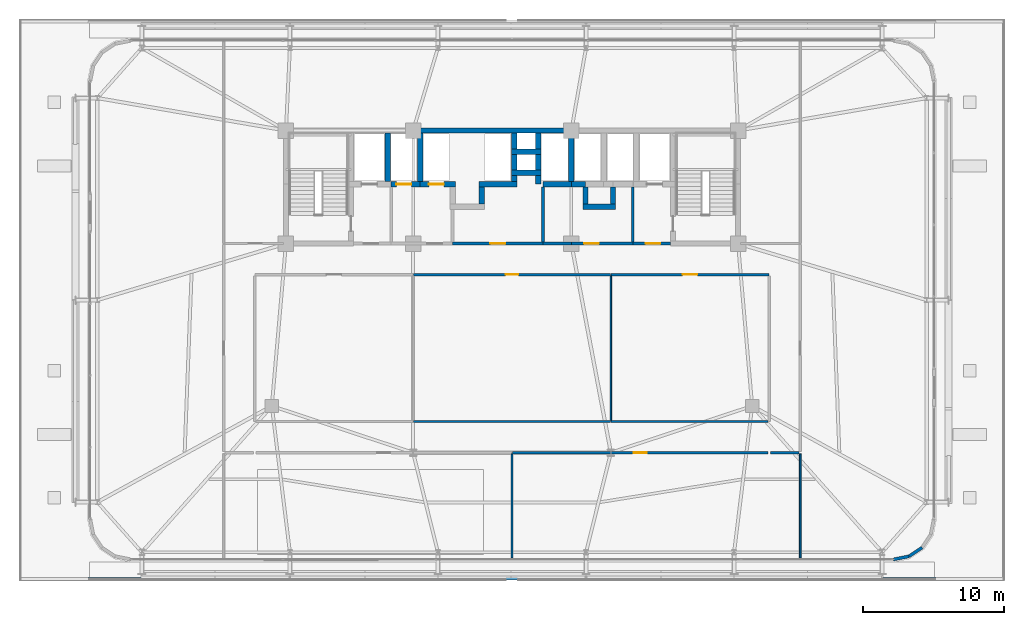
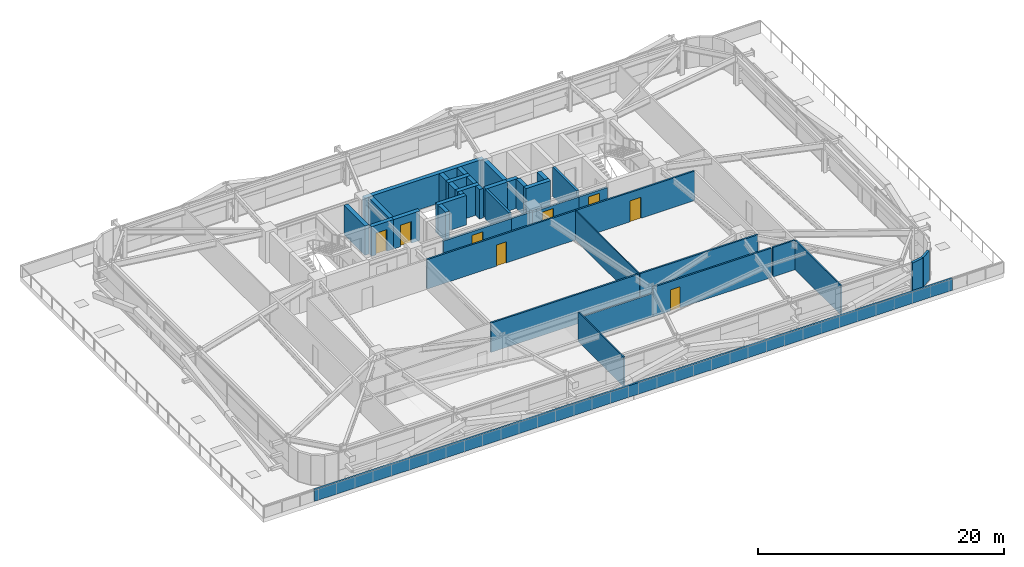
# One storey, part 51 of 56: 40 walls, 8 doors, 8 openings.
"""IFC4 building model written with IfcOpenShell, lengths in metres."""

from ifc_helpers import new_model, si_unit, direction, frame, frame_2d, origin, place, context, subcontext, project, spatial, rectangle, extrude, source, transform, mapped, material, layer, layer_set, type_object, element, fill, save


model = new_model("IFC4")

# Units and contexts
model_context = context("Model", 3, precision=1e-05, world=origin(), true_north=direction((0.0, 1.0)))
body_context = subcontext(model_context, "Body", "Model", "MODEL_VIEW")
ifc_project = project(units=[si_unit("LENGTHUNIT", "METRE"), si_unit("AREAUNIT", "SQUARE_METRE"), si_unit("VOLUMEUNIT", "CUBIC_METRE"), si_unit("PLANEANGLEUNIT", "RADIAN"), si_unit("MASSUNIT", "GRAM", prefix="KILO")], contexts=[model_context])

# Site, building, storey
site_placement = place(None, origin())
site = spatial("IfcSite", under=ifc_project, at=site_placement, CompositionType="ELEMENT")
building_placement = place(site_placement, origin())
building = spatial("IfcBuilding", under=site, at=building_placement, Name="Taldren Reach Tower", CompositionType="ELEMENT")
storey_placement = place(building_placement, frame((0.0, 0.0, 16.800048828125)))
storey = spatial("IfcBuildingStorey", under=building, at=storey_placement, Name="L04", CompositionType="ELEMENT", Elevation=16.800048828125)

# Walls
ifc_material_1 = material(Name="Pale Champagne Anodised Aluminium Cladding", Category="aluminium")
ifc_layer_1 = layer(ifc_material_1, 0.04, Name="Pale Champagne Anodised Aluminium Cladding", Category="aluminium")
ifc_material_2 = material(Name="Mineral Wool Acoustic Insulation", Category="insulation")
ifc_layer_2 = layer(ifc_material_2, 0.06, Name="Mineral Wool Acoustic Insulation", Category="insulation")
ifc_material_3 = material(Name="Steel Gr 350 (C350L0)", Category="steel")
ifc_layer_3 = layer(ifc_material_3, 0.12, Name="Steel Gr 350 (C350L0)", Category="steel")
ifc_layer_set_1 = layer_set([ifc_layer_1, ifc_layer_2, ifc_layer_3], Name="Pale Champagne Aluminium Cladding and Steel Gr 350 Stud Framing")
wall_type_1 = type_object("IfcWallType", Name="EW-CRN-220", PredefinedType="SOLIDWALL", material=ifc_layer_set_1)
shared_shape_1 = source(origin(), body_context, "Body", "SweptSolid", [
    extrude(rectangle(XDim=1.115966796875, YDim=0.219970703125, at=frame_2d((0.55810546875, 0.0))), origin(), (0.0, 0.0, 1.0), 2.929931640625),
])
for number, where, z_axis, x_axis, name in (
    (1, (62.0, 1.639892578125, 0.0), (0.0, 0.0, 1.0), (0.98077373103, 0.195148375659, 0.0), "Rounded-corner pale-metal facade wall L04-SE1"),
    (2, (63.094482421875, 1.857666015625, 0.0), (0.0, 0.0, 1.0), (0.83137650226, 0.555709556774, 0.0), "Rounded-corner pale-metal facade wall L04-SE2"),
):
    element("IfcWall", number, at=place(storey_placement, frame(where, z_axis=z_axis, x_axis=x_axis)), inside=storey, type_object=wall_type_1, Name=name, PredefinedType="SOLIDWALL", context=body_context, shape_type="MappedRepresentation", body=[
        mapped(shared_shape_1, transform((0.0, 0.0, 0.0), scale=1.0)),
    ])
ifc_layer_4 = layer(ifc_material_1, 0.03, Name="Pale Champagne Anodised Aluminium Cladding", Category="aluminium")
ifc_material_4 = material(Name="Concrete N40 (40 MPa)", Category="concrete")
ifc_layer_5 = layer(ifc_material_4, 0.15, Name="Concrete N40 (40 MPa)", Category="concrete")
ifc_layer_set_2 = layer_set([ifc_layer_4, ifc_layer_5], Name="Pale Champagne Aluminium Coping and Concrete 40 MPa (N40) Parapet")
wall_type_2 = type_object("IfcWallType", Name="EW-PAR-180", PredefinedType="PARAPET", material=ifc_layer_set_2)
shared_shape_2 = source(origin(), body_context, "Body", "SweptSolid", [
    extrude(rectangle(XDim=60.0, YDim=0.179931640625, at=frame_2d((30.0, 0.0))), origin(), (0.0, 0.0, 1.0), 1.14990234375),
])
wall_1_placement = place(storey_placement, frame((5.0, 0.2900390625, 0.0), z_axis=(0.0, 0.0, 1.0), x_axis=(1.0, 0.0, 0.0)))
element("IfcWall", 3, at=wall_1_placement, inside=storey, type_object=wall_type_2, Name="Podium perimeter parapet wall L04-S", PredefinedType="PARAPET", context=body_context, shape_type="MappedRepresentation", body=[
    mapped(shared_shape_2, transform((0.0, 0.0, 0.0), scale=1.0)),
])
ifc_material_5 = material(Name="Concrete S80 (80 MPa)", Category="concrete")
ifc_layer_6 = layer(ifc_material_5, 0.3798828125)
ifc_layer_set_3 = layer_set([ifc_layer_6], Name="Concrete S80 (80 MPa)")
wall_type_3 = type_object("IfcWallType", Name="IW-CORE-380", PredefinedType="SHEAR", material=ifc_layer_set_3)
shared_shape_3 = source(origin(), body_context, "Body", "SweptSolid", [
    extrude(rectangle(XDim=11.199951171875, YDim=0.3798828125, at=frame_2d((5.60009765625, 0.0))), origin(), (0.0, 0.0, 1.0), 2.929931640625),
])
wall_2_placement = place(storey_placement, frame((28.0, 32.0, 0.0), z_axis=(0.0, 0.0, 1.0), x_axis=(1.0, 0.0, 0.0)))
element("IfcWall", 4, at=wall_2_placement, inside=storey, type_object=wall_type_3, Name="Rear Core Shear Wall W-CORE-L04-NORTH2", PredefinedType="SHEAR", context=body_context, shape_type="MappedRepresentation", body=[
    mapped(shared_shape_3, transform((0.0, 0.0, 0.0), scale=1.0)),
])
shared_shape_4 = source(origin(), body_context, "Body", "SweptSolid", [
    extrude(rectangle(XDim=3.420166015625, YDim=0.3798828125, at=frame_2d((1.7099609375, 0.0))), origin(), (0.0, 0.0, 1.0), 2.929931640625),
])
for number, where, z_axis, x_axis, name in (
    (5, (26.199951171875, 28.389892578125, 0.0), (0.0, 0.0, 1.0), (0.0, 1.0, 0.0), "Rear Core Shear Wall W-INT-L04-005"),
    (6, (28.5, 28.389892578125, 0.0), (0.0, 0.0, 1.0), (0.0, 1.0, 0.0), "Rear Core Shear Wall W-INT-L04-029"),
    (7, (39.199951171875, 28.389892578125, 0.0), (0.0, 0.0, 1.0), (0.0, 1.0, 0.0), "Rear Core Shear Wall W-INT-L04-036"),
):
    element("IfcWall", number, at=place(storey_placement, frame(where, z_axis=z_axis, x_axis=x_axis)), inside=storey, type_object=wall_type_3, Name=name, PredefinedType="SHEAR", context=body_context, shape_type="MappedRepresentation", body=[
        mapped(shared_shape_4, transform((0.0, 0.0, 0.0), scale=1.0)),
    ])
ifc_material_6 = material(Name="Concrete S50 (50 MPa)", Category="concrete")
ifc_layer_7 = layer(ifc_material_6, 0.199951171875)
ifc_layer_set_4 = layer_set([ifc_layer_7], Name="Concrete S50 (50 MPa)")
wall_type_4 = type_object("IfcWallType", Name="IW-CORE-200", PredefinedType="SOLIDWALL", material=ifc_layer_set_4)
shared_shape_5 = source(origin(), body_context, "Body", "SweptSolid", [
    extrude(rectangle(XDim=3.909912109375, YDim=0.199951171875, at=frame_2d((1.955078125, 0.0))), origin(), (0.0, 0.0, 1.0), 2.929931640625),
])
for number, where, z_axis, x_axis, name in (
    (8, (43.550048828125, 28.010009765625, 0.0), (0.0, 0.0, 1.0), (0.0, -1.0, 0.0), "Rear Core Shear Wall W-INT-L04-013"),
    (9, (37.199951171875, 28.010009765625, 0.0), (0.0, 0.0, 1.0), (0.0, -1.0, 0.0), "Rear Core Shear Wall W-INT-L04-042"),
):
    element("IfcWall", number, at=place(storey_placement, frame(where, z_axis=z_axis, x_axis=x_axis)), inside=storey, type_object=wall_type_4, Name=name, PredefinedType="SOLIDWALL", context=body_context, shape_type="MappedRepresentation", body=[
        mapped(shared_shape_5, transform((0.0, 0.0, 0.0), scale=1.0)),
    ])

# Wall, opening, door
shared_shape_6 = source(origin(), body_context, "Body", "SweptSolid", [
    extrude(rectangle(XDim=2.659912109375, YDim=0.199951171875, at=frame_2d((1.330078125, 0.0))), origin(), (0.0, 0.0, 1.0), 2.39697265625),
])
wall_3_placement = place(storey_placement, frame((43.550048828125, 24.0, 0.0), z_axis=(0.0, 0.0, 1.0), x_axis=(1.0, 0.0, 0.0)))
wall_3 = element("IfcWall", 10, at=wall_3_placement, inside=storey, type_object=wall_type_4, Name="Rear Core Shear Wall W-INT-L04-014", PredefinedType="SOLIDWALL", context=body_context, shape_type="MappedRepresentation", body=[
    mapped(shared_shape_6, transform((0.0, 0.0, 0.0), scale=1.0)),
])
shared_shape_7 = source(origin(), body_context, "Body", "SweptSolid", [
    extrude(rectangle(XDim=1.050048828125, YDim=2.10009765625, at=frame_2d((0.52490234375, 1.050048828125))), frame((0.0, 0.10986328125, 0.0), z_axis=(0.0, -1.0, 0.0), x_axis=(1.0, 0.0, 0.0)), (0.0, 0.0, 1.0), 0.219970703125),
])
opening_1_placement = place(wall_3_placement, frame((0.89990234375, 0.0, 0.0)))
opening_1 = element("IfcOpeningElement", 11, at=opening_1_placement, cuts=wall_3, Name="Opening DF-105", PredefinedType="OPENING", context=body_context, shape_type="MappedRepresentation", body=[
    mapped(shared_shape_7, transform((0.0, 0.0, 0.0), scale=1.0)),
])
ifc_material_7 = material(Name="Fire-Rated Care and Stair Exit Door")
door_type_1 = type_object("IfcDoorType", Name="ID-FIRE-105", OperationType="NOTDEFINED", PredefinedType="DOOR", material=ifc_material_7)
shared_shape_8 = source(origin(), body_context, "Body", "SweptSolid", [
    extrude(rectangle(XDim=1.050048828125, YDim=2.10009765625, at=frame_2d((0.52490234375, 1.050048828125))), frame((0.0, 0.02490234375, 0.0), z_axis=(0.0, -1.0, 0.0), x_axis=(1.0, 0.0, 0.0)), (0.0, 0.0, 1.0), 0.050048828125),
])
door_1_placement = place(opening_1_placement, origin())
door_1 = element("IfcDoor", 12, at=door_1_placement, inside=storey, type_object=door_type_1, Name="Interior Door DR-L04-004", OperationType="SINGLE_SWING_LEFT", OverallHeight=2.10009765625, OverallWidth=1.050048828125, PredefinedType="DOOR", context=body_context, shape_type="MappedRepresentation", body=[
    mapped(shared_shape_8, transform((0.0, 0.0, 0.0), scale=1.0)),
])
fill(opening_1, door_1)

# Walls
shared_shape_9 = source(origin(), body_context, "Body", "SweptSolid", [
    extrude(rectangle(XDim=2.080078125, YDim=0.3798828125, at=frame_2d((1.0400390625, 0.0))), origin(), (0.0, 0.0, 1.0), 2.929931640625),
])
for number, where, z_axis, x_axis, name in (
    (13, (34.9599609375, 30.5, 0.0), (0.0, 0.0, 1.0), (1.0, 0.0, 0.0), "Rear Core Shear Wall W-INT-L04-015"),
    (14, (34.9599609375, 29.0, 0.0), (0.0, 0.0, 1.0), (1.0, 0.0, 0.0), "Rear Core Shear Wall W-INT-L04-020"),
):
    element("IfcWall", number, at=place(storey_placement, frame(where, z_axis=z_axis, x_axis=x_axis)), inside=storey, type_object=wall_type_3, Name=name, PredefinedType="SHEAR", context=body_context, shape_type="MappedRepresentation", body=[
        mapped(shared_shape_9, transform((0.0, 0.0, 0.0), scale=1.0)),
    ])
shared_shape_10 = source(origin(), body_context, "Body", "SweptSolid", [
    extrude(rectangle(XDim=1.1201171875, YDim=0.3798828125, at=frame_2d((0.56005859375, 0.0))), origin(), (0.0, 0.0, 1.0), 2.929931640625),
])
for number, where, z_axis, x_axis, name in (
    (15, (35.14990234375, 31.81005859375, 0.0), (0.0, 0.0, 1.0), (0.0, -1.0, 0.0), "Rear Core Shear Wall W-INT-L04-016"),
    (16, (36.85009765625, 30.68994140625, 0.0), (0.0, 0.0, 1.0), (0.0, 1.0, 0.0), "Rear Core Shear Wall W-INT-L04-017"),
    (17, (35.14990234375, 30.31005859375, 0.0), (0.0, 0.0, 1.0), (0.0, -1.0, 0.0), "Rear Core Shear Wall W-INT-L04-018"),
    (18, (36.85009765625, 29.18994140625, 0.0), (0.0, 0.0, 1.0), (0.0, 1.0, 0.0), "Rear Core Shear Wall W-INT-L04-019"),
):
    element("IfcWall", number, at=place(storey_placement, frame(where, z_axis=z_axis, x_axis=x_axis)), inside=storey, type_object=wall_type_3, Name=name, PredefinedType="SHEAR", context=body_context, shape_type="MappedRepresentation", body=[
        mapped(shared_shape_10, transform((0.0, 0.0, 0.0), scale=1.0)),
    ])
shared_shape_11 = source(origin(), body_context, "Body", "SweptSolid", [
    extrude(rectangle(XDim=1.219970703125, YDim=0.3798828125, at=frame_2d((0.60986328125, 0.0))), origin(), (0.0, 0.0, 1.0), 2.929931640625),
])
for number, where, z_axis, x_axis, name in (
    (19, (32.85009765625, 26.7900390625, 0.0), (0.0, 0.0, 1.0), (0.0, 1.0, 0.0), "Rear Core Shear Wall W-INT-L04-023"),
    (20, (40.199951171875, 28.010009765625, 0.0), (0.0, 0.0, 1.0), (0.0, -1.0, 0.0), "Rear Core Shear Wall W-INT-L04-027"),
    (21, (42.14990234375, 26.7900390625, 0.0), (0.0, 0.0, 1.0), (0.0, 1.0, 0.0), "Rear Core Shear Wall W-INT-L04-028"),
):
    element("IfcWall", number, at=place(storey_placement, frame(where, z_axis=z_axis, x_axis=x_axis)), inside=storey, type_object=wall_type_3, Name=name, PredefinedType="SHEAR", context=body_context, shape_type="MappedRepresentation", body=[
        mapped(shared_shape_11, transform((0.0, 0.0, 0.0), scale=1.0)),
    ])
shared_shape_12 = source(origin(), body_context, "Body", "SweptSolid", [
    extrude(rectangle(XDim=2.330078125, YDim=0.3798828125, at=frame_2d((1.1650390625, 0.0))), origin(), (0.0, 0.0, 1.0), 2.929931640625),
])
wall_4_placement = place(storey_placement, frame((40.010009765625, 26.60009765625, 0.0), z_axis=(0.0, 0.0, 1.0), x_axis=(1.0, 0.0, 0.0)))
element("IfcWall", 22, at=wall_4_placement, inside=storey, type_object=wall_type_3, Name="Rear Core Shear Wall W-INT-L04-026", PredefinedType="SHEAR", context=body_context, shape_type="MappedRepresentation", body=[
    mapped(shared_shape_12, transform((0.0, 0.0, 0.0), scale=1.0)),
])

# Wall, opening, door
shared_shape_13 = source(origin(), body_context, "Body", "SweptSolid", [
    extrude(rectangle(XDim=2.070068359375, YDim=0.3798828125, at=frame_2d((1.03515625, 0.0))), origin(), (0.0, 0.0, 1.0), 2.929931640625),
])
wall_5_placement = place(storey_placement, frame((26.429931640625, 28.199951171875, 0.0), z_axis=(0.0, 0.0, 1.0), x_axis=(1.0, 0.0, 0.0)))
wall_5 = element("IfcWall", 23, at=wall_5_placement, inside=storey, type_object=wall_type_3, Name="Rear Core Shear Wall W-INT-L04-030", PredefinedType="SHEAR", context=body_context, shape_type="MappedRepresentation", body=[
    mapped(shared_shape_13, transform((0.0, 0.0, 0.0), scale=1.0)),
])
shared_shape_14 = source(origin(), body_context, "Body", "SweptSolid", [
    extrude(rectangle(XDim=1.050048828125, YDim=2.14990234375, at=frame_2d((0.52490234375, 1.074951171875))), frame((0.0, 0.199951171875, 0.0), z_axis=(0.0, -1.0, 0.0), x_axis=(1.0, 0.0, 0.0)), (0.0, 0.0, 1.0), 0.39990234375),
])
opening_2_placement = place(wall_5_placement, frame((0.39501953125, 0.0, 0.0)))
opening_2 = element("IfcOpeningElement", 24, at=opening_2_placement, cuts=wall_5, Name="Opening LD-PL1", PredefinedType="OPENING", context=body_context, shape_type="MappedRepresentation", body=[
    mapped(shared_shape_14, transform((0.0, 0.0, 0.0), scale=1.0)),
])
ifc_material_8 = material(Name="Stainless Steel Gr 316 Passenger Lift Landing Door", Category="steel")
door_type_2 = type_object("IfcDoorType", Name="LD-PAS-105", OperationType="SLIDING_TO_LEFT", PredefinedType="DOOR", material=ifc_material_8)
shared_shape_15 = source(origin(), body_context, "Body", "SweptSolid", [
    extrude(rectangle(XDim=1.050048828125, YDim=2.14990234375, at=frame_2d((0.52490234375, 1.074951171875))), frame((0.0, 0.02490234375, 0.0), z_axis=(0.0, -1.0, 0.0), x_axis=(1.0, 0.0, 0.0)), (0.0, 0.0, 1.0), 0.050048828125),
])
door_2_placement = place(opening_2_placement, origin())
door_2 = element("IfcDoor", 25, at=door_2_placement, inside=storey, type_object=door_type_2, Name="Lift Landing Door LD-PL1-L04", OperationType="SLIDING_TO_LEFT", OverallHeight=2.14990234375, OverallWidth=1.050048828125, PredefinedType="DOOR", context=body_context, shape_type="MappedRepresentation", body=[
    mapped(shared_shape_15, transform((0.0, 0.0, 0.0), scale=1.0)),
])
fill(opening_2, door_2)

shared_shape_16 = source(origin(), body_context, "Body", "SweptSolid", [
    extrude(rectangle(XDim=2.489990234375, YDim=0.3798828125, at=frame_2d((1.2451171875, 0.0))), origin(), (0.0, 0.0, 1.0), 2.929931640625),
])
wall_6_placement = place(storey_placement, frame((28.5, 28.199951171875, 0.0), z_axis=(0.0, 0.0, 1.0), x_axis=(1.0, 0.0, 0.0)))
wall_6 = element("IfcWall", 26, at=wall_6_placement, inside=storey, type_object=wall_type_3, Name="Rear Core Shear Wall W-INT-L04-031", PredefinedType="SHEAR", context=body_context, shape_type="MappedRepresentation", body=[
    mapped(shared_shape_16, transform((0.0, 0.0, 0.0), scale=1.0)),
])
opening_3_placement = place(wall_6_placement, frame((0.625, 0.0, 0.0)))
opening_3 = element("IfcOpeningElement", 27, at=opening_3_placement, cuts=wall_6, Name="Opening LD-PL2", PredefinedType="OPENING", context=body_context, shape_type="MappedRepresentation", body=[
    mapped(shared_shape_14, transform((0.0, 0.0, 0.0), scale=1.0)),
])
door_3_placement = place(opening_3_placement, origin())
door_3 = element("IfcDoor", 28, at=door_3_placement, inside=storey, type_object=door_type_2, Name="Lift Landing Door LD-PL2-L04", OperationType="SLIDING_TO_LEFT", OverallHeight=2.14990234375, OverallWidth=1.050048828125, PredefinedType="DOOR", context=body_context, shape_type="MappedRepresentation", body=[
    mapped(shared_shape_15, transform((0.0, 0.0, 0.0), scale=1.0)),
])
fill(opening_3, door_3)

# Walls
shared_shape_17 = source(origin(), body_context, "Body", "SweptSolid", [
    extrude(rectangle(XDim=2.68017578125, YDim=0.3798828125, at=frame_2d((1.340087890625, 0.0))), origin(), (0.0, 0.0, 1.0), 2.929931640625),
])
wall_7_placement = place(storey_placement, frame((32.659912109375, 28.199951171875, 0.0), z_axis=(0.0, 0.0, 1.0), x_axis=(1.0, 0.0, 0.0)))
element("IfcWall", 29, at=wall_7_placement, inside=storey, type_object=wall_type_3, Name="Rear Core Shear Wall W-INT-L04-034", PredefinedType="SHEAR", context=body_context, shape_type="MappedRepresentation", body=[
    mapped(shared_shape_17, transform((0.0, 0.0, 0.0), scale=1.0)),
])
shared_shape_18 = source(origin(), body_context, "Body", "SweptSolid", [
    extrude(rectangle(XDim=0.420166015625, YDim=0.3798828125, at=frame_2d((0.2099609375, 0.0))), origin(), (0.0, 0.0, 1.0), 2.929931640625),
])
wall_8_placement = place(storey_placement, frame((35.14990234375, 28.389892578125, 0.0), z_axis=(0.0, 0.0, 1.0), x_axis=(0.0, 1.0, 0.0)))
element("IfcWall", 30, at=wall_8_placement, inside=storey, type_object=wall_type_3, Name="Rear Core Shear Wall W-INT-L04-035", PredefinedType="SHEAR", context=body_context, shape_type="MappedRepresentation", body=[
    mapped(shared_shape_18, transform((0.0, 0.0, 0.0), scale=1.0)),
])
shared_shape_19 = source(origin(), body_context, "Body", "SweptSolid", [
    extrude(rectangle(XDim=0.610107421875, YDim=0.3798828125, at=frame_2d((0.30517578125, 0.0))), origin(), (0.0, 0.0, 1.0), 2.929931640625),
])
wall_9_placement = place(storey_placement, frame((36.85009765625, 28.81005859375, 0.0), z_axis=(0.0, 0.0, 1.0), x_axis=(0.0, -1.0, 0.0)))
element("IfcWall", 31, at=wall_9_placement, inside=storey, type_object=wall_type_3, Name="Rear Core Shear Wall W-INT-L04-037", PredefinedType="SHEAR", context=body_context, shape_type="MappedRepresentation", body=[
    mapped(shared_shape_19, transform((0.0, 0.0, 0.0), scale=1.0)),
])
shared_shape_20 = source(origin(), body_context, "Body", "SweptSolid", [
    extrude(rectangle(XDim=2.02001953125, YDim=0.3798828125, at=frame_2d((1.010009765625, 0.0))), origin(), (0.0, 0.0, 1.0), 2.929931640625),
])
wall_10_placement = place(storey_placement, frame((37.179931640625, 28.199951171875, 0.0), z_axis=(0.0, 0.0, 1.0), x_axis=(1.0, 0.0, 0.0)))
element("IfcWall", 32, at=wall_10_placement, inside=storey, type_object=wall_type_3, Name="Rear Core Shear Wall W-INT-L04-038", PredefinedType="SHEAR", context=body_context, shape_type="MappedRepresentation", body=[
    mapped(shared_shape_20, transform((0.0, 0.0, 0.0), scale=1.0)),
])
shared_shape_21 = source(origin(), body_context, "Body", "SweptSolid", [
    extrude(rectangle(XDim=1.02001953125, YDim=0.3798828125, at=frame_2d((0.510009765625, 0.0))), origin(), (0.0, 0.0, 1.0), 2.929931640625),
])
wall_11_placement = place(storey_placement, frame((39.199951171875, 28.199951171875, 0.0), z_axis=(0.0, 0.0, 1.0), x_axis=(1.0, 0.0, 0.0)))
element("IfcWall", 33, at=wall_11_placement, inside=storey, type_object=wall_type_3, Name="Rear Core Shear Wall W-INT-L04-040", PredefinedType="SHEAR", context=body_context, shape_type="MappedRepresentation", body=[
    mapped(shared_shape_21, transform((0.0, 0.0, 0.0), scale=1.0)),
])

# Wall, opening, door
shared_shape_22 = source(origin(), body_context, "Body", "SweptSolid", [
    extrude(rectangle(XDim=6.39990234375, YDim=0.199951171875, at=frame_2d((3.199951171875, 0.0))), origin(), (0.0, 0.0, 1.0), 2.469970703125),
])
wall_12_placement = place(storey_placement, frame((37.199951171875, 24.0, 0.0), z_axis=(0.0, 0.0, 1.0), x_axis=(-1.0, 0.0, 0.0)))
wall_12 = element("IfcWall", 34, at=wall_12_placement, inside=storey, type_object=wall_type_4, Name="Rear Core Shear Wall W-INT-L04-043", PredefinedType="SOLIDWALL", context=body_context, shape_type="MappedRepresentation", body=[
    mapped(shared_shape_22, transform((0.0, 0.0, 0.0), scale=1.0)),
])
opening_4_placement = place(wall_12_placement, frame((2.675048828125, 0.0, 0.0)))
opening_4 = element("IfcOpeningElement", 35, at=opening_4_placement, cuts=wall_12, Name="Opening DF-105", PredefinedType="OPENING", context=body_context, shape_type="MappedRepresentation", body=[
    mapped(shared_shape_7, transform((0.0, 0.0, 0.0), scale=1.0)),
])
door_4_placement = place(opening_4_placement, frame((1.050048828125, 0.0, 0.0), z_axis=(0.0, 0.0, 1.0), x_axis=(-1.0, 0.0, 0.0)))
door_4 = element("IfcDoor", 36, at=door_4_placement, inside=storey, type_object=door_type_1, Name="Interior Door DR-L04-006", OperationType="SINGLE_SWING_RIGHT", OverallHeight=2.10009765625, OverallWidth=1.050048828125, PredefinedType="DOOR", context=body_context, shape_type="MappedRepresentation", body=[
    mapped(shared_shape_8, transform((0.0, 0.0, 0.0), scale=1.0)),
])
fill(opening_4, door_4)

shared_shape_23 = source(origin(), body_context, "Body", "SweptSolid", [
    extrude(rectangle(XDim=4.35009765625, YDim=0.199951171875, at=frame_2d((2.175048828125, 0.0))), origin(), (0.0, 0.0, 1.0), 2.39697265625),
])
wall_13_placement = place(storey_placement, frame((43.550048828125, 24.0, 0.0), z_axis=(0.0, 0.0, 1.0), x_axis=(-1.0, 0.0, 0.0)))
wall_13 = element("IfcWall", 37, at=wall_13_placement, inside=storey, type_object=wall_type_4, Name="Rear Core Shear Wall W-INT-L04-044", PredefinedType="SOLIDWALL", context=body_context, shape_type="MappedRepresentation", body=[
    mapped(shared_shape_23, transform((0.0, 0.0, 0.0), scale=1.0)),
])
opening_5_placement = place(wall_13_placement, frame((2.39990234375, 0.0, 0.0)))
opening_5 = element("IfcOpeningElement", 38, at=opening_5_placement, cuts=wall_13, Name="Opening DF-105", PredefinedType="OPENING", context=body_context, shape_type="MappedRepresentation", body=[
    mapped(shared_shape_7, transform((0.0, 0.0, 0.0), scale=1.0)),
])
door_5_placement = place(opening_5_placement, frame((1.050048828125, 0.0, 0.0), z_axis=(0.0, 0.0, 1.0), x_axis=(-1.0, 0.0, 0.0)))
door_5 = element("IfcDoor", 39, at=door_5_placement, inside=storey, type_object=door_type_1, Name="Interior Door DR-L04-007", OperationType="SINGLE_SWING_RIGHT", OverallHeight=2.10009765625, OverallWidth=1.050048828125, PredefinedType="DOOR", context=body_context, shape_type="MappedRepresentation", body=[
    mapped(shared_shape_8, transform((0.0, 0.0, 0.0), scale=1.0)),
])
fill(opening_5, door_5)

# Wall
shared_shape_24 = source(origin(), body_context, "Body", "SweptSolid", [
    extrude(rectangle(XDim=2.0, YDim=0.199951171875, at=frame_2d((1.0, 0.0))), origin(), (0.0, 0.0, 1.0), 2.469970703125),
])
wall_14_placement = place(storey_placement, frame((39.199951171875, 24.0, 0.0), z_axis=(0.0, 0.0, 1.0), x_axis=(-1.0, 0.0, 0.0)))
element("IfcWall", 40, at=wall_14_placement, inside=storey, type_object=wall_type_4, Name="Rear Core Shear Wall W-INT-L04-044 part 2", PredefinedType="SOLIDWALL", context=body_context, shape_type="MappedRepresentation", body=[
    mapped(shared_shape_24, transform((0.0, 0.0, 0.0), scale=1.0)),
])

# Wall, opening, door
ifc_material_9 = material(Name="Fire-Rated Acoustic Plasterboard Stud Wall", Category="gypsum")
ifc_layer_8 = layer(ifc_material_9, 0.159912109375)
ifc_layer_set_5 = layer_set([ifc_layer_8], Name="Fire-Rated Acoustic Plasterboard Stud Wall")
wall_type_5 = type_object("IfcWallType", Name="IW-FIRE-160", PredefinedType="PARTITIONING", material=ifc_layer_set_5)
shared_shape_25 = source(origin(), body_context, "Body", "SweptSolid", [
    extrude(rectangle(XDim=11.159423828125, YDim=0.159912109375, at=frame_2d((5.57958984375, 0.0))), origin(), (0.0, 0.0, 1.0), 2.929931640625),
])
wall_15_placement = place(storey_placement, frame((53.1796875, 21.800048828125, 0.0), z_axis=(0.0, 0.0, 1.0), x_axis=(-1.0, 0.0, 0.0)))
wall_15 = element("IfcWall", 41, at=wall_15_placement, inside=storey, type_object=wall_type_5, Name="Interior Partition Wall W-INT-L04-048", PredefinedType="PARTITIONING", context=body_context, shape_type="MappedRepresentation", body=[
    mapped(shared_shape_25, transform((0.0, 0.0, 0.0), scale=1.0)),
])
shared_shape_26 = source(origin(), body_context, "Body", "SweptSolid", [
    extrude(rectangle(XDim=1.050048828125, YDim=2.10009765625, at=frame_2d((0.52490234375, 1.050048828125))), frame((0.0, 0.08984375, 0.0), z_axis=(0.0, -1.0, 0.0), x_axis=(1.0, 0.0, 0.0)), (0.0, 0.0, 1.0), 0.179931640625),
])
opening_6_placement = place(wall_15_placement, frame((5.0546875, 0.0, 0.0)))
opening_6 = element("IfcOpeningElement", 42, at=opening_6_placement, cuts=wall_15, Name="Opening DF-105", PredefinedType="OPENING", context=body_context, shape_type="MappedRepresentation", body=[
    mapped(shared_shape_26, transform((0.0, 0.0, 0.0), scale=1.0)),
])
door_6_placement = place(opening_6_placement, origin())
door_6 = element("IfcDoor", 43, at=door_6_placement, inside=storey, type_object=door_type_1, Name="Interior Door DR-L04-010", OperationType="SINGLE_SWING_LEFT", OverallHeight=2.10009765625, OverallWidth=1.050048828125, PredefinedType="DOOR", context=body_context, shape_type="MappedRepresentation", body=[
    mapped(shared_shape_8, transform((0.0, 0.0, 0.0), scale=1.0)),
])
fill(opening_6, door_6)

shared_shape_27 = source(origin(), body_context, "Body", "SweptSolid", [
    extrude(rectangle(XDim=13.95947265625, YDim=0.159912109375, at=frame_2d((6.979736328125, 0.0))), origin(), (0.0, 0.0, 1.0), 2.929931640625),
])
wall_16_placement = place(storey_placement, frame((41.979736328125, 21.800048828125, 0.0), z_axis=(0.0, 0.0, 1.0), x_axis=(-1.0, 0.0, 0.0)))
wall_16 = element("IfcWall", 44, at=wall_16_placement, inside=storey, type_object=wall_type_5, Name="Interior Partition Wall W-INT-L04-047", PredefinedType="PARTITIONING", context=body_context, shape_type="MappedRepresentation", body=[
    mapped(shared_shape_27, transform((0.0, 0.0, 0.0), scale=1.0)),
])
shared_shape_28 = source(origin(), body_context, "Body", "SweptSolid", [
    extrude(rectangle(XDim=0.919921875, YDim=2.10009765625, at=frame_2d((0.4599609375, 1.050048828125))), frame((0.0, 0.08984375, 0.0), z_axis=(0.0, -1.0, 0.0), x_axis=(1.0, 0.0, 0.0)), (0.0, 0.0, 1.0), 0.179931640625),
])
opening_7_placement = place(wall_16_placement, frame((6.519775390625, 0.0, 0.0)))
opening_7 = element("IfcOpeningElement", 45, at=opening_7_placement, cuts=wall_16, Name="Opening DI-092", PredefinedType="OPENING", context=body_context, shape_type="MappedRepresentation", body=[
    mapped(shared_shape_28, transform((0.0, 0.0, 0.0), scale=1.0)),
])
ifc_material_10 = material(Name="Solid-Core Timber Suite Door", Category="wood")
door_type_3 = type_object("IfcDoorType", Name="ID-INT-092", OperationType="NOTDEFINED", PredefinedType="DOOR", material=ifc_material_10)
shared_shape_29 = source(origin(), body_context, "Body", "SweptSolid", [
    extrude(rectangle(XDim=0.919921875, YDim=2.10009765625, at=frame_2d((0.4599609375, 1.050048828125))), frame((0.0, 0.02490234375, 0.0), z_axis=(0.0, -1.0, 0.0), x_axis=(1.0, 0.0, 0.0)), (0.0, 0.0, 1.0), 0.050048828125),
])
door_7_placement = place(opening_7_placement, origin())
door_7 = element("IfcDoor", 46, at=door_7_placement, inside=storey, type_object=door_type_3, Name="Interior Door DR-L04-009", OperationType="SINGLE_SWING_RIGHT", OverallHeight=2.10009765625, OverallWidth=0.919921875, PredefinedType="DOOR", context=body_context, shape_type="MappedRepresentation", body=[
    mapped(shared_shape_29, transform((0.0, 0.0, 0.0), scale=1.0)),
])
fill(opening_7, door_7)

# Walls
wall_17_placement = place(storey_placement, frame((28.020263671875, 11.39990234375, 0.0), z_axis=(0.0, 0.0, 1.0), x_axis=(1.0, 0.0, 0.0)))
element("IfcWall", 47, at=wall_17_placement, inside=storey, type_object=wall_type_5, Name="Interior Partition Wall W-INT-L04-057", PredefinedType="PARTITIONING", context=body_context, shape_type="MappedRepresentation", body=[
    mapped(shared_shape_27, transform((0.0, 0.0, 0.0), scale=1.0)),
])
shared_shape_30 = source(origin(), body_context, "Body", "SweptSolid", [
    extrude(rectangle(XDim=2.0400390625, YDim=0.159912109375, at=frame_2d((1.02001953125, 0.0))), origin(), (0.0, 0.0, 1.0), 2.929931640625),
])
wall_18_placement = place(storey_placement, frame((55.320068359375, 9.199951171875, 0.0), z_axis=(0.0, 0.0, 1.0), x_axis=(-1.0, 0.0, 0.0)))
element("IfcWall", 48, at=wall_18_placement, inside=storey, type_object=wall_type_5, Name="Interior Partition Wall W-INT-L04-051", PredefinedType="PARTITIONING", context=body_context, shape_type="MappedRepresentation", body=[
    mapped(shared_shape_30, transform((0.0, 0.0, 0.0), scale=1.0)),
])
shared_shape_31 = source(origin(), body_context, "Body", "SweptSolid", [
    extrude(rectangle(XDim=11.099853515625, YDim=0.159912109375, at=frame_2d((5.5498046875, 0.0))), origin(), (0.0, 0.0, 1.0), 2.929931640625),
])
wall_19_placement = place(storey_placement, frame((42.020263671875, 11.39990234375, 0.0), z_axis=(0.0, 0.0, 1.0), x_axis=(1.0, 0.0, 0.0)))
element("IfcWall", 49, at=wall_19_placement, inside=storey, type_object=wall_type_5, Name="Interior Partition Wall W-INT-L04-058", PredefinedType="PARTITIONING", context=body_context, shape_type="MappedRepresentation", body=[
    mapped(shared_shape_31, transform((0.0, 0.0, 0.0), scale=1.0)),
])
shared_shape_32 = source(origin(), body_context, "Body", "SweptSolid", [
    extrude(rectangle(XDim=6.979736328125, YDim=0.159912109375, at=frame_2d((3.48974609375, 0.0))), origin(), (0.0, 0.0, 1.0), 2.327880859375),
])
wall_20_placement = place(storey_placement, frame((42.0, 9.199951171875, 0.0), z_axis=(0.0, 0.0, 1.0), x_axis=(-1.0, 0.0, 0.0)))
element("IfcWall", 50, at=wall_20_placement, inside=storey, type_object=wall_type_5, Name="Interior Partition Wall W-INT-L04-060 part 2", PredefinedType="PARTITIONING", context=body_context, shape_type="MappedRepresentation", body=[
    mapped(shared_shape_32, transform((0.0, 0.0, 0.0), scale=1.0)),
])

# Wall, opening, door
shared_shape_33 = source(origin(), body_context, "Body", "SweptSolid", [
    extrude(rectangle(XDim=11.1201171875, YDim=0.159912109375, at=frame_2d((5.56005859375, 0.0))), origin(), (0.0, 0.0, 1.0), 2.929931640625),
])
wall_21_placement = place(storey_placement, frame((53.1201171875, 9.199951171875, 0.0), z_axis=(0.0, 0.0, 1.0), x_axis=(-1.0, 0.0, 0.0)))
wall_21 = element("IfcWall", 51, at=wall_21_placement, inside=storey, type_object=wall_type_5, Name="Interior Partition Wall W-INT-L04-060", PredefinedType="PARTITIONING", context=body_context, shape_type="MappedRepresentation", body=[
    mapped(shared_shape_33, transform((0.0, 0.0, 0.0), scale=1.0)),
])
opening_8_placement = place(wall_21_placement, frame((8.58984375, 0.0, 0.0)))
opening_8 = element("IfcOpeningElement", 52, at=opening_8_placement, cuts=wall_21, Name="Opening DI-092", PredefinedType="OPENING", context=body_context, shape_type="MappedRepresentation", body=[
    mapped(shared_shape_28, transform((0.0, 0.0, 0.0), scale=1.0)),
])
door_8_placement = place(opening_8_placement, origin())
door_8 = element("IfcDoor", 53, at=door_8_placement, inside=storey, type_object=door_type_3, Name="Interior Door DR-L04-015", OperationType="SINGLE_SWING_RIGHT", OverallHeight=2.10009765625, OverallWidth=0.919921875, PredefinedType="DOOR", context=body_context, shape_type="MappedRepresentation", body=[
    mapped(shared_shape_29, transform((0.0, 0.0, 0.0), scale=1.0)),
])
fill(opening_8, door_8)

# Walls
ifc_material_11 = material(Name="Acoustic Operable Folding Partition", Category="metal")
ifc_layer_9 = layer(ifc_material_11, 0.10009765625)
ifc_layer_set_6 = layer_set([ifc_layer_9], Name="Acoustic Operable Folding Partition")
wall_type_6 = type_object("IfcWallType", Name="IW-MOV-100", PredefinedType="MOVABLE", material=ifc_layer_set_6)
shared_shape_34 = source(origin(), body_context, "Body", "SweptSolid", [
    extrude(rectangle(XDim=10.239990234375, YDim=0.10009765625, at=frame_2d((5.1201171875, 0.0))), origin(), (0.0, 0.0, 1.0), 2.929931640625),
])
wall_22_placement = place(storey_placement, frame((42.0, 21.719970703125, 0.0), z_axis=(0.0, 0.0, 1.0), x_axis=(0.0, -1.0, 0.0)))
element("IfcWall", 54, at=wall_22_placement, inside=storey, type_object=wall_type_6, Name="Interior Partition Wall W-INT-L04-062", PredefinedType="MOVABLE", context=body_context, shape_type="MappedRepresentation", body=[
    mapped(shared_shape_34, transform((0.0, 0.0, 0.0), scale=1.0)),
])
ifc_material_12 = material(Name="Insulated Residential Stud Partition", Category="gypsum")
ifc_layer_10 = layer(ifc_material_12, 0.1201171875)
ifc_layer_set_7 = layer_set([ifc_layer_10], Name="Insulated Residential Stud Partition")
wall_type_7 = type_object("IfcWallType", Name="IW-PART-120", PredefinedType="PARTITIONING", material=ifc_layer_set_7)
shared_shape_35 = source(origin(), body_context, "Body", "SweptSolid", [
    extrude(rectangle(XDim=7.39013671875, YDim=0.1201171875, at=frame_2d((3.695068359375, 0.0))), origin(), (0.0, 0.0, 1.0), 2.929931640625),
])
for number, where, z_axis, x_axis, name in (
    (55, (35.0, 9.1201171875, 0.0), (0.0, 0.0, 1.0), (0.0, -1.0, 0.0), "Interior Partition Wall W-INT-L04-063"),
    (56, (55.39990234375, 9.1201171875, 0.0), (0.0, 0.0, 1.0), (0.0, -1.0, 0.0), "Interior Partition Wall W-INT-L04-065"),
):
    element("IfcWall", number, at=place(storey_placement, frame(where, z_axis=z_axis, x_axis=x_axis)), inside=storey, type_object=wall_type_7, Name=name, PredefinedType="PARTITIONING", context=body_context, shape_type="MappedRepresentation", body=[
        mapped(shared_shape_35, transform((0.0, 0.0, 0.0), scale=1.0)),
    ])

save(model, "model.ifc")
